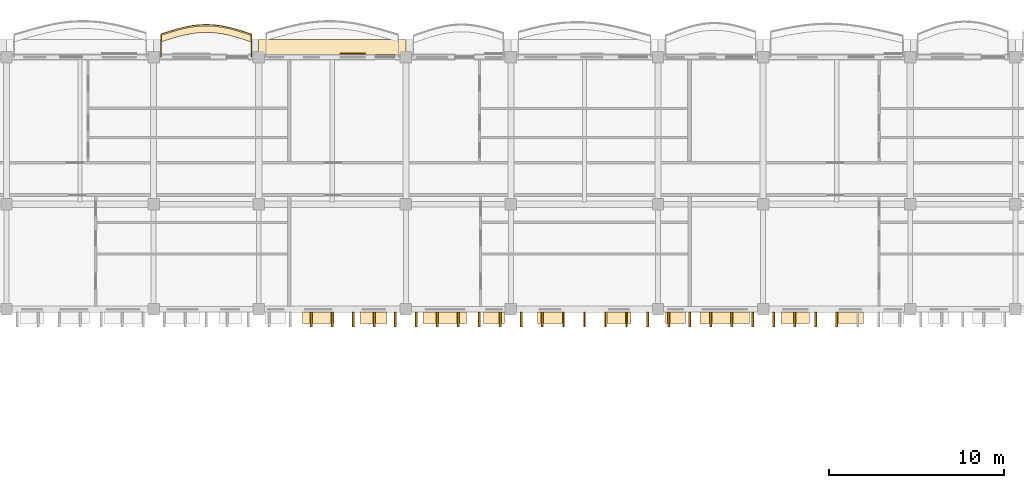
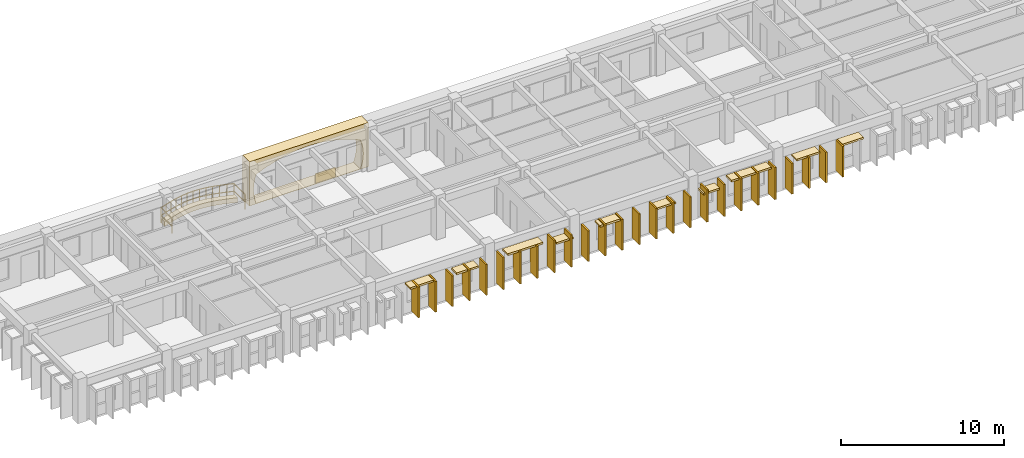
# One storey, part 56 of 70: 39 coverings, 1 railing.
"""IFC4 building model written with IfcOpenShell, lengths in metres."""

from ifc_helpers import new_model, si_unit, direction, frame, origin, origin_2d, place, context, subcontext, project, spatial, polyline, rectangle, outline, extrude, material, layer, layer_set, type_object, element, save


model = new_model("IFC4")

# Units and contexts
model_context = context("Model", 3, precision=1e-05, world=origin(), true_north=direction((0.0, 1.0)))
body_context = subcontext(model_context, "Body", "Model", "MODEL_VIEW")
ifc_project = project(units=[si_unit("LENGTHUNIT", "METRE"), si_unit("AREAUNIT", "SQUARE_METRE"), si_unit("VOLUMEUNIT", "CUBIC_METRE"), si_unit("PLANEANGLEUNIT", "RADIAN"), si_unit("MASSUNIT", "GRAM", prefix="KILO"), si_unit("THERMODYNAMICTEMPERATUREUNIT", "KELVIN")], contexts=[model_context])

# Site, building, storey
site_placement = place(None, origin())
site = spatial("IfcSite", under=ifc_project, at=site_placement, CompositionType="ELEMENT")
building_placement = place(site_placement, origin())
building = spatial("IfcBuilding", under=site, at=building_placement, Name="Thalorik Housing Commons", CompositionType="ELEMENT")
storey_placement = place(building_placement, frame((0.0, 0.0, 14.699951171875)))
storey = spatial("IfcBuildingStorey", under=building, at=storey_placement, Name="L04", CompositionType="ELEMENT", Elevation=14.699951171875)

# Coverings
ifc_material_1 = material(Name="Cobalt blue glazed ceramic facade tile panel", Category="masonry")
ifc_layer_1 = layer(ifc_material_1, 0.06005859375, Name="Cobalt blue glazed ceramic facade tile panel", Category="masonry")
ifc_layer_set_1 = layer_set([ifc_layer_1], Name="Cobalt blue glazed ceramic facade tile panel")
covering_type_1 = type_object("IfcCoveringType", Name="ARC-CLD-BLU-60", PredefinedType="CLADDING", material=ifc_layer_set_1)
covering_1_placement = place(storey_placement, frame((106.172607421875, 123.78759765625, 0.05029296875), z_axis=(0.0, 0.0, 1.0), x_axis=(-1.0, 0.0, 0.0)))
element("IfcCovering", 1, at=covering_1_placement, inside=storey, type_object=covering_type_1, Name="L04 De Stijl Recessed Window Spandrel 2027", PredefinedType="CLADDING", context=body_context, shape_type="SweptSolid", body=[
    extrude(rectangle(XDim=1.419921875, YDim=0.06005859375, at=origin_2d()), origin(), (0.0, 0.0, 1.0), 0.699951171875),
])
ifc_material_2 = material(Name="Precast concrete C40/50", Category="concrete")
ifc_layer_2 = layer(ifc_material_2, 0.85009765625, Name="Precast concrete C40/50", Category="concrete")
ifc_layer_set_2 = layer_set([ifc_layer_2], Name="Precast concrete C40/50")
covering_type_2 = type_object("IfcCoveringType", Name="ARC-CLD-CUSH-850", PredefinedType="CLADDING", material=ifc_layer_set_2)
covering_2_placement = place(storey_placement, frame((105.0, 124.177490234375, 0.0), z_axis=(0.0, 0.0, 1.0), x_axis=(-1.0, 0.0, 0.0)))
element("IfcCovering", 2, at=covering_2_placement, inside=storey, type_object=covering_type_2, Name="L04 White Precast Curved Cushion Bay Frame 2026", PredefinedType="CLADDING", context=body_context, shape_type="SweptSolid", body=[
    extrude(outline(polyline([(-4.199951171875, 0.0), (4.199951171875, 0.0), (4.199951171875, 3.300048828125), (-4.199951171875, 3.300048828125), (-4.199951171875, 0.0)]), holes=[polyline([(3.735107421875, 0.02490234375), (3.833251953125, 0.387451171875), (3.89208984375, 0.75), (3.91162109375, 1.112548828125), (3.89208984375, 1.47509765625), (3.833251953125, 1.83740234375), (3.735107421875, 2.199951171875), (3.121337890625, 2.455810546875), (2.507568359375, 2.656494140625), (1.893798828125, 2.819091796875), (1.280029296875, 2.940185546875), (0.666259765625, 3.014892578125), (0.052490234375, 3.0400390625), (-0.561279296875, 3.014892578125), (-1.175048828125, 2.940185546875), (-1.788818359375, 2.819091796875), (-2.402587890625, 2.656494140625), (-3.01611328125, 2.455810546875), (-3.6298828125, 2.199951171875), (-3.750244140625, 1.83740234375), (-3.822509765625, 1.47509765625), (-3.8466796875, 1.112548828125), (-3.822509765625, 0.75), (-3.750244140625, 0.387451171875), (-3.6298828125, 0.02490234375), (3.735107421875, 0.02490234375)])]), frame((0.0, 0.425048828125, 0.0), z_axis=(0.0, -1.0, 0.0), x_axis=(1.0, 0.0, 0.0)), (0.0, 0.0, 1.0), 0.85009765625),
])
ifc_layer_3 = layer(ifc_material_2, 0.85009765625, Name="Precast concrete C40/50", Category="concrete")
ifc_layer_set_3 = layer_set([ifc_layer_3], Name="Precast concrete C40/50")
covering_type_3 = type_object("IfcCoveringType", Name="ARC-CLD-FIN-850", PredefinedType="CLADDING", material=ifc_layer_set_3)
for number, where, z_axis, x_axis, name in (
    (3, (103.800048828125, 108.62255859375, 0.0400390625), (0.0, 0.0, 1.0), (1.0, 0.0, 0.0), "L04 Courtyard Precast Vertical Brise-Soleil Fin 2077"),
    (4, (105.0, 108.62255859375, 0.0400390625), (0.0, 0.0, 1.0), (1.0, 0.0, 0.0), "L04 Courtyard Precast Vertical Brise-Soleil Fin 2078"),
    (5, (106.199951171875, 108.62255859375, 0.0400390625), (0.0, 0.0, 1.0), (1.0, 0.0, 0.0), "L04 Courtyard Precast Vertical Brise-Soleil Fin 2079"),
    (6, (107.39990234375, 108.62255859375, 0.0400390625), (0.0, 0.0, 1.0), (1.0, 0.0, 0.0), "L04 Courtyard Precast Vertical Brise-Soleil Fin 2080"),
    (7, (108.60009765625, 108.62255859375, 0.0400390625), (0.0, 0.0, 1.0), (1.0, 0.0, 0.0), "L04 Courtyard Precast Vertical Brise-Soleil Fin 2081"),
):
    element("IfcCovering", number, at=place(storey_placement, frame(where, z_axis=z_axis, x_axis=x_axis)), inside=storey, type_object=covering_type_3, Name=name, PredefinedType="CLADDING", context=body_context, shape_type="SweptSolid", body=[
        extrude(rectangle(XDim=0.110107421875, YDim=0.85009765625, at=origin_2d()), origin(), (0.0, 0.0, 1.0), 2.294921875),
    ])
for number, where, z_axis, x_axis, name in (
    (8, (109.800048828125, 108.62255859375, 0.0400390625), (0.0, 0.0, 1.0), (1.0, 0.0, 0.0), "L04 Courtyard Precast Vertical Brise-Soleil Fin 2085"),
    (9, (111.0, 108.62255859375, 0.0400390625), (0.0, 0.0, 1.0), (1.0, 0.0, 0.0), "L04 Courtyard Precast Vertical Brise-Soleil Fin 2086"),
    (10, (112.199951171875, 108.62255859375, 0.0400390625), (0.0, 0.0, 1.0), (1.0, 0.0, 0.0), "L04 Courtyard Precast Vertical Brise-Soleil Fin 2087"),
    (11, (113.39990234375, 108.62255859375, 0.0400390625), (0.0, 0.0, 1.0), (1.0, 0.0, 0.0), "L04 Courtyard Precast Vertical Brise-Soleil Fin 2088"),
    (12, (114.60009765625, 108.62255859375, 0.0400390625), (0.0, 0.0, 1.0), (1.0, 0.0, 0.0), "L04 Courtyard Precast Vertical Brise-Soleil Fin 2089"),
):
    element("IfcCovering", number, at=place(storey_placement, frame(where, z_axis=z_axis, x_axis=x_axis)), inside=storey, type_object=covering_type_3, Name=name, PredefinedType="CLADDING", context=body_context, shape_type="SweptSolid", body=[
        extrude(rectangle(XDim=0.110107421875, YDim=0.85009765625, at=origin_2d()), origin(), (0.0, 0.0, 1.0), 2.39501953125),
    ])
for number, where, z_axis, x_axis, name in (
    (13, (115.800048828125, 108.62255859375, 0.0400390625), (0.0, 0.0, 1.0), (1.0, 0.0, 0.0), "L04 Courtyard Precast Vertical Brise-Soleil Fin 2092"),
    (14, (117.0, 108.62255859375, 0.0400390625), (0.0, 0.0, 1.0), (1.0, 0.0, 0.0), "L04 Courtyard Precast Vertical Brise-Soleil Fin 2093"),
    (15, (118.199951171875, 108.62255859375, 0.0400390625), (0.0, 0.0, 1.0), (1.0, 0.0, 0.0), "L04 Courtyard Precast Vertical Brise-Soleil Fin 2094"),
    (16, (119.39990234375, 108.62255859375, 0.0400390625), (0.0, 0.0, 1.0), (1.0, 0.0, 0.0), "L04 Courtyard Precast Vertical Brise-Soleil Fin 2095"),
    (17, (120.60009765625, 108.62255859375, 0.0400390625), (0.0, 0.0, 1.0), (1.0, 0.0, 0.0), "L04 Courtyard Precast Vertical Brise-Soleil Fin 2096"),
    (18, (121.800048828125, 108.62255859375, 0.0400390625), (0.0, 0.0, 1.0), (1.0, 0.0, 0.0), "L04 Courtyard Precast Vertical Brise-Soleil Fin 2097"),
    (19, (123.0, 108.62255859375, 0.0400390625), (0.0, 0.0, 1.0), (1.0, 0.0, 0.0), "L04 Courtyard Precast Vertical Brise-Soleil Fin 2098"),
):
    element("IfcCovering", number, at=place(storey_placement, frame(where, z_axis=z_axis, x_axis=x_axis)), inside=storey, type_object=covering_type_3, Name=name, PredefinedType="CLADDING", context=body_context, shape_type="SweptSolid", body=[
        extrude(rectangle(XDim=0.110107421875, YDim=0.85009765625, at=origin_2d()), origin(), (0.0, 0.0, 1.0), 2.294921875),
    ])
for number, where, z_axis, x_axis, name in (
    (20, (124.199951171875, 108.62255859375, 0.0400390625), (0.0, 0.0, 1.0), (1.0, 0.0, 0.0), "L04 Courtyard Precast Vertical Brise-Soleil Fin 2101"),
    (21, (125.39990234375, 108.62255859375, 0.0400390625), (0.0, 0.0, 1.0), (1.0, 0.0, 0.0), "L04 Courtyard Precast Vertical Brise-Soleil Fin 2102"),
    (22, (126.60009765625, 108.62255859375, 0.0400390625), (0.0, 0.0, 1.0), (1.0, 0.0, 0.0), "L04 Courtyard Precast Vertical Brise-Soleil Fin 2103"),
    (23, (127.800048828125, 108.62255859375, 0.0400390625), (0.0, 0.0, 1.0), (1.0, 0.0, 0.0), "L04 Courtyard Precast Vertical Brise-Soleil Fin 2104"),
    (24, (129.0, 108.62255859375, 0.0400390625), (0.0, 0.0, 1.0), (1.0, 0.0, 0.0), "L04 Courtyard Precast Vertical Brise-Soleil Fin 2105"),
):
    element("IfcCovering", number, at=place(storey_placement, frame(where, z_axis=z_axis, x_axis=x_axis)), inside=storey, type_object=covering_type_3, Name=name, PredefinedType="CLADDING", context=body_context, shape_type="SweptSolid", body=[
        extrude(rectangle(XDim=0.110107421875, YDim=0.85009765625, at=origin_2d()), origin(), (0.0, 0.0, 1.0), 2.39501953125),
    ])
for number, where, z_axis, x_axis, name in (
    (25, (130.199951171875, 108.62255859375, 0.0400390625), (0.0, 0.0, 1.0), (1.0, 0.0, 0.0), "L04 Courtyard Precast Vertical Brise-Soleil Fin 2108"),
    (26, (131.39990234375, 108.62255859375, 0.0400390625), (0.0, 0.0, 1.0), (1.0, 0.0, 0.0), "L04 Courtyard Precast Vertical Brise-Soleil Fin 2109"),
    (27, (132.60009765625, 108.62255859375, 0.0400390625), (0.0, 0.0, 1.0), (1.0, 0.0, 0.0), "L04 Courtyard Precast Vertical Brise-Soleil Fin 2110"),
    (28, (133.800048828125, 108.62255859375, 0.0400390625), (0.0, 0.0, 1.0), (1.0, 0.0, 0.0), "L04 Courtyard Precast Vertical Brise-Soleil Fin 2111"),
):
    element("IfcCovering", number, at=place(storey_placement, frame(where, z_axis=z_axis, x_axis=x_axis)), inside=storey, type_object=covering_type_3, Name=name, PredefinedType="CLADDING", context=body_context, shape_type="SweptSolid", body=[
        extrude(rectangle(XDim=0.110107421875, YDim=0.85009765625, at=origin_2d()), origin(), (0.0, 0.0, 1.0), 2.294921875),
    ])
ifc_layer_4 = layer(ifc_material_2, 0.64990234375, Name="Precast concrete C40/50", Category="concrete")
ifc_layer_set_4 = layer_set([ifc_layer_4], Name="Precast concrete C40/50")
covering_type_4 = type_object("IfcCoveringType", Name="ARC-CLD-HOOD-650", PredefinedType="CLADDING", material=ifc_layer_set_4)
covering_3_placement = place(storey_placement, frame((104.1923828125, 108.722412109375, 2.18994140625), z_axis=(0.0, 0.0, 1.0), x_axis=(1.0, 0.0, 0.0)))
element("IfcCovering", 29, at=covering_3_placement, inside=storey, type_object=covering_type_4, Name="L04 Courtyard Precast Window Sun-Hood 2083", PredefinedType="CLADDING", context=body_context, shape_type="SweptSolid", body=[
    extrude(rectangle(XDim=1.7900390625, YDim=0.64990234375, at=origin_2d()), origin(), (0.0, 0.0, 1.0), 0.139892578125),
])
covering_4_placement = place(storey_placement, frame((107.357421875, 108.722412109375, 2.14013671875), z_axis=(0.0, 0.0, 1.0), x_axis=(1.0, 0.0, 0.0)))
element("IfcCovering", 30, at=covering_4_placement, inside=storey, type_object=covering_type_4, Name="L04 Courtyard Precast Window Sun-Hood 2084", PredefinedType="CLADDING", context=body_context, shape_type="SweptSolid", body=[
    extrude(rectangle(XDim=1.56005859375, YDim=0.64990234375, at=origin_2d()), origin(), (0.0, 0.0, 1.0), 0.139892578125),
])
covering_5_placement = place(storey_placement, frame((111.429931640625, 108.722412109375, 2.31005859375), z_axis=(0.0, 0.0, 1.0), x_axis=(1.0, 0.0, 0.0)))
element("IfcCovering", 31, at=covering_5_placement, inside=storey, type_object=covering_type_4, Name="L04 Courtyard Precast Window Sun-Hood 2090", PredefinedType="CLADDING", context=body_context, shape_type="SweptSolid", body=[
    extrude(rectangle(XDim=2.47998046875, YDim=0.64990234375, at=origin_2d()), origin(), (0.0, 0.0, 1.0), 0.139892578125),
])
covering_6_placement = place(storey_placement, frame((114.239990234375, 108.722412109375, 1.93994140625), z_axis=(0.0, 0.0, 1.0), x_axis=(1.0, 0.0, 0.0)))
element("IfcCovering", 32, at=covering_6_placement, inside=storey, type_object=covering_type_4, Name="L04 Courtyard Precast Window Sun-Hood 2091", PredefinedType="CLADDING", context=body_context, shape_type="SweptSolid", body=[
    extrude(rectangle(XDim=1.18994140625, YDim=0.64990234375, at=origin_2d()), origin(), (0.0, 0.0, 1.0), 0.139892578125),
])
covering_7_placement = place(storey_placement, frame((117.429931640625, 108.722412109375, 2.14013671875), z_axis=(0.0, 0.0, 1.0), x_axis=(1.0, 0.0, 0.0)))
element("IfcCovering", 33, at=covering_7_placement, inside=storey, type_object=covering_type_4, Name="L04 Courtyard Precast Window Sun-Hood 2099", PredefinedType="CLADDING", context=body_context, shape_type="SweptSolid", body=[
    extrude(rectangle(XDim=1.43994140625, YDim=0.64990234375, at=origin_2d()), origin(), (0.0, 0.0, 1.0), 0.139892578125),
])
covering_8_placement = place(storey_placement, frame((121.3701171875, 108.722412109375, 2.0400390625), z_axis=(0.0, 0.0, 1.0), x_axis=(1.0, 0.0, 0.0)))
element("IfcCovering", 34, at=covering_8_placement, inside=storey, type_object=covering_type_4, Name="L04 Courtyard Precast Window Sun-Hood 2100", PredefinedType="CLADDING", context=body_context, shape_type="SweptSolid", body=[
    extrude(rectangle(XDim=1.389892578125, YDim=0.64990234375, at=origin_2d()), origin(), (0.0, 0.0, 1.0), 0.139892578125),
])
covering_9_placement = place(storey_placement, frame((124.594970703125, 108.722412109375, 1.990234375), z_axis=(0.0, 0.0, 1.0), x_axis=(1.0, 0.0, 0.0)))
element("IfcCovering", 35, at=covering_9_placement, inside=storey, type_object=covering_type_4, Name="L04 Courtyard Precast Window Sun-Hood 2106", PredefinedType="CLADDING", context=body_context, shape_type="SweptSolid", body=[
    extrude(rectangle(XDim=1.139892578125, YDim=0.64990234375, at=origin_2d()), origin(), (0.0, 0.0, 1.0), 0.139892578125),
])
covering_10_placement = place(storey_placement, frame((127.405029296875, 108.722412109375, 2.27001953125), z_axis=(0.0, 0.0, 1.0), x_axis=(1.0, 0.0, 0.0)))
element("IfcCovering", 36, at=covering_10_placement, inside=storey, type_object=covering_type_4, Name="L04 Courtyard Precast Window Sun-Hood 2107", PredefinedType="CLADDING", context=body_context, shape_type="SweptSolid", body=[
    extrude(rectangle(XDim=2.820068359375, YDim=0.64990234375, at=origin_2d()), origin(), (0.0, 0.0, 1.0), 0.139892578125),
])
covering_11_placement = place(storey_placement, frame((131.433837890625, 108.722412109375, 2.22509765625), z_axis=(0.0, 0.0, 1.0), x_axis=(1.0, 0.0, 0.0)))
element("IfcCovering", 37, at=covering_11_placement, inside=storey, type_object=covering_type_4, Name="L04 Courtyard Precast Window Sun-Hood 2115", PredefinedType="CLADDING", context=body_context, shape_type="SweptSolid", body=[
    extrude(rectangle(XDim=1.639892578125, YDim=0.64990234375, at=origin_2d()), origin(), (0.0, 0.0, 1.0), 0.139892578125),
])
covering_12_placement = place(storey_placement, frame((134.581298828125, 108.722412109375, 2.22509765625), z_axis=(0.0, 0.0, 1.0), x_axis=(1.0, 0.0, 0.0)))
element("IfcCovering", 38, at=covering_12_placement, inside=storey, type_object=covering_type_4, Name="L04 Courtyard Precast Window Sun-Hood 2116", PredefinedType="CLADDING", context=body_context, shape_type="SweptSolid", body=[
    extrude(rectangle(XDim=1.489990234375, YDim=0.64990234375, at=origin_2d()), origin(), (0.0, 0.0, 1.0), 0.139892578125),
])
ifc_material_3 = material(Name="Planted vegetated substrate and terracotta trough", Category="masonry")
ifc_layer_5 = layer(ifc_material_3, 0.340087890625, Name="Planted vegetated substrate and terracotta trough", Category="masonry")
ifc_layer_set_5 = layer_set([ifc_layer_5], Name="Planted vegetated substrate and terracotta trough")
covering_type_5 = type_object("IfcCoveringType", Name="ARC-COV-PLANTER", PredefinedType="USERDEFINED", material=ifc_layer_set_5)
covering_13_placement = place(storey_placement, origin())
element("IfcCovering", 39, at=covering_13_placement, inside=storey, type_object=covering_type_5, Name="L04 Balcony Slab-Edge Planted Trough 5453", ObjectType="PLANTER", PredefinedType="USERDEFINED", context=body_context, shape_type="SweptSolid", body=[
    extrude(outline(polyline([(100.3798828125, 124.847900390625), (99.949951171875, 124.987060546875), (99.52001953125, 125.117919921875), (99.090087890625, 125.231201171875), (98.659912109375, 125.318359375), (98.22998046875, 125.373291015625), (97.800048828125, 125.39208984375), (97.3701171875, 125.373291015625), (96.93994140625, 125.318359375), (96.510009765625, 125.231201171875), (96.080078125, 125.117919921875), (95.64990234375, 124.987060546875), (95.219970703125, 124.847900390625), (95.219970703125, 124.4677734375), (95.64990234375, 124.60693359375), (96.080078125, 124.738037109375), (96.510009765625, 124.85107421875), (96.93994140625, 124.938232421875), (97.3701171875, 124.9931640625), (97.800048828125, 125.011962890625), (98.22998046875, 124.9931640625), (98.659912109375, 124.938232421875), (99.090087890625, 124.85107421875), (99.52001953125, 124.738037109375), (99.949951171875, 124.60693359375), (100.3798828125, 124.4677734375), (100.3798828125, 124.847900390625)])), origin(), (0.0, 0.0, 1.0), 0.340087890625),
])

# Railing
ifc_material_4 = material(Name="Steel S355", Category="steel")
railing_type = type_object("IfcRailingType", Name="ARC-RL-BAL-115", PredefinedType="BALUSTRADE", material=ifc_material_4)
railing_placement = place(storey_placement, frame((100.3798828125, 123.60009765625, 0.0)))
element("IfcRailing", 40, at=railing_placement, inside=storey, type_object=railing_type, Name="L04 Cushion Balcony Guardrail 137", PredefinedType="BALUSTRADE", context=body_context, shape_type="SweptSolid", body=[
    extrude(rectangle(XDim=0.050048828125, YDim=0.050048828125, at=origin_2d()), frame((0.0, 0.0, 1.125), z_axis=(0.0, 1.0, 0.0), x_axis=(-1.0, 0.0, 0.0)), (0.0, 0.0, 1.0), 1.317626953125),
    extrude(rectangle(XDim=0.050048828125, YDim=0.050048828125, at=origin_2d()), frame((0.0, 0.0, 0.5498046875), z_axis=(0.0, 1.0, 0.0), x_axis=(-1.0, 0.0, 0.0)), (0.0, 0.0, 1.0), 1.317626953125),
    extrude(rectangle(XDim=0.050048828125, YDim=0.050048828125, at=origin_2d()), frame((0.0, 1.317626953125, 1.125), z_axis=(-0.951402625637, 0.30794974254, 0.0), x_axis=(-0.30794974254, -0.951402625637, 0.0)), (0.0, 0.0, 1.0), 0.451904296875),
    extrude(rectangle(XDim=0.050048828125, YDim=0.050048828125, at=origin_2d()), frame((0.0, 1.317626953125, 0.5498046875), z_axis=(-0.951402625637, 0.30794974254, 0.0), x_axis=(-0.30794974254, -0.951402625637, 0.0)), (0.0, 0.0, 1.0), 0.451904296875),
    extrude(rectangle(XDim=0.050048828125, YDim=0.050048828125, at=origin_2d()), frame((-0.429931640625, 1.456787109375, 1.125), z_axis=(-0.956515864466, 0.2916803062, 0.0), x_axis=(-0.2916803062, -0.956515864466, 0.0)), (0.0, 0.0, 1.0), 0.449462890625),
    extrude(rectangle(XDim=0.050048828125, YDim=0.050048828125, at=origin_2d()), frame((-0.429931640625, 1.456787109375, 0.5498046875), z_axis=(-0.956515864466, 0.2916803062, 0.0), x_axis=(-0.2916803062, -0.956515864466, 0.0)), (0.0, 0.0, 1.0), 0.449462890625),
    extrude(rectangle(XDim=0.050048828125, YDim=0.050048828125, at=origin_2d()), frame((-0.85986328125, 1.587890625, 1.125), z_axis=(-0.967131424423, 0.254277029817, 0.0), x_axis=(-0.254277029817, -0.967131424423, 0.0)), (0.0, 0.0, 1.0), 0.444580078125),
    extrude(rectangle(XDim=0.050048828125, YDim=0.050048828125, at=origin_2d()), frame((-0.85986328125, 1.587890625, 0.5498046875), z_axis=(-0.967131424423, 0.254277029817, 0.0), x_axis=(-0.254277029817, -0.967131424423, 0.0)), (0.0, 0.0, 1.0), 0.444580078125),
    extrude(rectangle(XDim=0.050048828125, YDim=0.050048828125, at=origin_2d()), frame((-1.289794921875, 1.700927734375, 1.125), z_axis=(-0.980085535519, 0.198575786708, 0.0), x_axis=(-0.198575786708, -0.980085535519, 0.0)), (0.0, 0.0, 1.0), 0.43896484375),
    extrude(rectangle(XDim=0.050048828125, YDim=0.050048828125, at=origin_2d()), frame((-1.289794921875, 1.700927734375, 0.5498046875), z_axis=(-0.980085535519, 0.198575786708, 0.0), x_axis=(-0.198575786708, -0.980085535519, 0.0)), (0.0, 0.0, 1.0), 0.43896484375),
    extrude(rectangle(XDim=0.050048828125, YDim=0.050048828125, at=origin_2d()), frame((-1.719970703125, 1.7880859375, 1.125), z_axis=(-0.991936225096, 0.126738018539, 0.0), x_axis=(-0.126738018539, -0.991936225096, 0.0)), (0.0, 0.0, 1.0), 0.433349609375),
    extrude(rectangle(XDim=0.050048828125, YDim=0.050048828125, at=origin_2d()), frame((-1.719970703125, 1.7880859375, 0.5498046875), z_axis=(-0.991936225096, 0.126738018539, 0.0), x_axis=(-0.126738018539, -0.991936225096, 0.0)), (0.0, 0.0, 1.0), 0.433349609375),
    extrude(rectangle(XDim=0.050048828125, YDim=0.050048828125, at=origin_2d()), frame((-2.14990234375, 1.843017578125, 1.125), z_axis=(-0.999045423924, 0.043683417173, 0.0), x_axis=(-0.043683417173, -0.999045423924, 0.0)), (0.0, 0.0, 1.0), 0.430419921875),
    extrude(rectangle(XDim=0.050048828125, YDim=0.050048828125, at=origin_2d()), frame((-2.14990234375, 1.843017578125, 0.5498046875), z_axis=(-0.999045423924, 0.043683417173, 0.0), x_axis=(-0.043683417173, -0.999045423924, 0.0)), (0.0, 0.0, 1.0), 0.430419921875),
    extrude(rectangle(XDim=0.050048828125, YDim=0.050048828125, at=origin_2d()), frame((-2.579833984375, 1.86181640625, 1.125), z_axis=(-0.999045423924, -0.043683417173, 0.0), x_axis=(0.043683417173, -0.999045423924, 0.0)), (0.0, 0.0, 1.0), 0.430419921875),
    extrude(rectangle(XDim=0.050048828125, YDim=0.050048828125, at=origin_2d()), frame((-2.579833984375, 1.86181640625, 0.5498046875), z_axis=(-0.999045423924, -0.043683417173, 0.0), x_axis=(0.043683417173, -0.999045423924, 0.0)), (0.0, 0.0, 1.0), 0.430419921875),
    extrude(rectangle(XDim=0.050048828125, YDim=0.050048828125, at=origin_2d()), frame((-3.009765625, 1.843017578125, 1.125), z_axis=(-0.991945265219, -0.126667244424, 0.0), x_axis=(0.126667244424, -0.991945265219, 0.0)), (0.0, 0.0, 1.0), 0.43359375),
    extrude(rectangle(XDim=0.050048828125, YDim=0.050048828125, at=origin_2d()), frame((-3.009765625, 1.843017578125, 0.5498046875), z_axis=(-0.991945265219, -0.126667244424, 0.0), x_axis=(0.126667244424, -0.991945265219, 0.0)), (0.0, 0.0, 1.0), 0.43359375),
    extrude(rectangle(XDim=0.050048828125, YDim=0.050048828125, at=origin_2d()), frame((-3.43994140625, 1.7880859375, 1.125), z_axis=(-0.980063583933, -0.198684099639, 0.0), x_axis=(0.198684099639, -0.980063583933, 0.0)), (0.0, 0.0, 1.0), 0.438720703125),
    extrude(rectangle(XDim=0.050048828125, YDim=0.050048828125, at=origin_2d()), frame((-3.43994140625, 1.7880859375, 0.5498046875), z_axis=(-0.980063583933, -0.198684099639, 0.0), x_axis=(0.198684099639, -0.980063583933, 0.0)), (0.0, 0.0, 1.0), 0.438720703125),
    extrude(rectangle(XDim=0.050048828125, YDim=0.050048828125, at=origin_2d()), frame((-3.869873046875, 1.700927734375, 1.125), z_axis=(-0.967131424423, -0.254277029817, 0.0), x_axis=(0.254277029817, -0.967131424423, 0.0)), (0.0, 0.0, 1.0), 0.444580078125),
    extrude(rectangle(XDim=0.050048828125, YDim=0.050048828125, at=origin_2d()), frame((-3.869873046875, 1.700927734375, 0.5498046875), z_axis=(-0.967131424423, -0.254277029817, 0.0), x_axis=(0.254277029817, -0.967131424423, 0.0)), (0.0, 0.0, 1.0), 0.444580078125),
    extrude(rectangle(XDim=0.050048828125, YDim=0.050048828125, at=origin_2d()), frame((-4.2998046875, 1.587890625, 1.125), z_axis=(-0.956562039655, -0.291528839554, 0.0), x_axis=(0.291528839554, -0.956562039655, 0.0)), (0.0, 0.0, 1.0), 0.44970703125),
    extrude(rectangle(XDim=0.050048828125, YDim=0.050048828125, at=origin_2d()), frame((-4.2998046875, 1.587890625, 0.5498046875), z_axis=(-0.956562039655, -0.291528839554, 0.0), x_axis=(0.291528839554, -0.956562039655, 0.0)), (0.0, 0.0, 1.0), 0.44970703125),
    extrude(rectangle(XDim=0.050048828125, YDim=0.050048828125, at=origin_2d()), frame((-4.72998046875, 1.456787109375, 1.125), z_axis=(-0.951402625637, -0.30794974254, 0.0), x_axis=(0.30794974254, -0.951402625637, 0.0)), (0.0, 0.0, 1.0), 0.451904296875),
    extrude(rectangle(XDim=0.050048828125, YDim=0.050048828125, at=origin_2d()), frame((-4.72998046875, 1.456787109375, 0.5498046875), z_axis=(-0.951402625637, -0.30794974254, 0.0), x_axis=(0.30794974254, -0.951402625637, 0.0)), (0.0, 0.0, 1.0), 0.451904296875),
    extrude(rectangle(XDim=0.050048828125, YDim=0.050048828125, at=origin_2d()), frame((-5.159912109375, 1.317626953125, 1.125), z_axis=(0.0, -1.0, 0.0), x_axis=(1.0, 0.0, 0.0)), (0.0, 0.0, 1.0), 1.317626953125),
    extrude(rectangle(XDim=0.050048828125, YDim=0.050048828125, at=origin_2d()), frame((-5.159912109375, 1.317626953125, 0.5498046875), z_axis=(0.0, -1.0, 0.0), x_axis=(1.0, 0.0, 0.0)), (0.0, 0.0, 1.0), 1.317626953125),
    extrude(rectangle(XDim=0.0419921875, YDim=0.0419921875, at=origin_2d()), origin(), (0.0, 0.0, 1.0), 1.099853515625),
    extrude(rectangle(XDim=0.0419921875, YDim=0.0419921875, at=origin_2d()), frame((0.0, 1.317626953125, 0.0)), (0.0, 0.0, 1.0), 1.099853515625),
    extrude(rectangle(XDim=0.0419921875, YDim=0.0419921875, at=origin_2d()), frame((-0.429931640625, 1.456787109375, 0.0)), (0.0, 0.0, 1.0), 1.099853515625),
    extrude(rectangle(XDim=0.0419921875, YDim=0.0419921875, at=origin_2d()), frame((-0.85986328125, 1.587890625, 0.0)), (0.0, 0.0, 1.0), 1.099853515625),
    extrude(rectangle(XDim=0.0419921875, YDim=0.0419921875, at=origin_2d()), frame((-1.289794921875, 1.700927734375, 0.0)), (0.0, 0.0, 1.0), 1.099853515625),
    extrude(rectangle(XDim=0.0419921875, YDim=0.0419921875, at=origin_2d()), frame((-1.719970703125, 1.7880859375, 0.0)), (0.0, 0.0, 1.0), 1.099853515625),
    extrude(rectangle(XDim=0.0419921875, YDim=0.0419921875, at=origin_2d()), frame((-2.14990234375, 1.843017578125, 0.0)), (0.0, 0.0, 1.0), 1.099853515625),
    extrude(rectangle(XDim=0.0419921875, YDim=0.0419921875, at=origin_2d()), frame((-2.579833984375, 1.86181640625, 0.0)), (0.0, 0.0, 1.0), 1.099853515625),
    extrude(rectangle(XDim=0.0419921875, YDim=0.0419921875, at=origin_2d()), frame((-3.009765625, 1.843017578125, 0.0)), (0.0, 0.0, 1.0), 1.099853515625),
    extrude(rectangle(XDim=0.0419921875, YDim=0.0419921875, at=origin_2d()), frame((-3.43994140625, 1.7880859375, 0.0)), (0.0, 0.0, 1.0), 1.099853515625),
    extrude(rectangle(XDim=0.0419921875, YDim=0.0419921875, at=origin_2d()), frame((-3.869873046875, 1.700927734375, 0.0)), (0.0, 0.0, 1.0), 1.099853515625),
    extrude(rectangle(XDim=0.0419921875, YDim=0.0419921875, at=origin_2d()), frame((-4.2998046875, 1.587890625, 0.0)), (0.0, 0.0, 1.0), 1.099853515625),
    extrude(rectangle(XDim=0.0419921875, YDim=0.0419921875, at=origin_2d()), frame((-4.72998046875, 1.456787109375, 0.0)), (0.0, 0.0, 1.0), 1.099853515625),
    extrude(rectangle(XDim=0.0419921875, YDim=0.0419921875, at=origin_2d()), frame((-5.159912109375, 1.317626953125, 0.0)), (0.0, 0.0, 1.0), 1.099853515625),
    extrude(rectangle(XDim=0.0419921875, YDim=0.0419921875, at=origin_2d()), frame((-5.159912109375, 0.0, 0.0)), (0.0, 0.0, 1.0), 1.099853515625),
])

save(model, "model.ifc")
